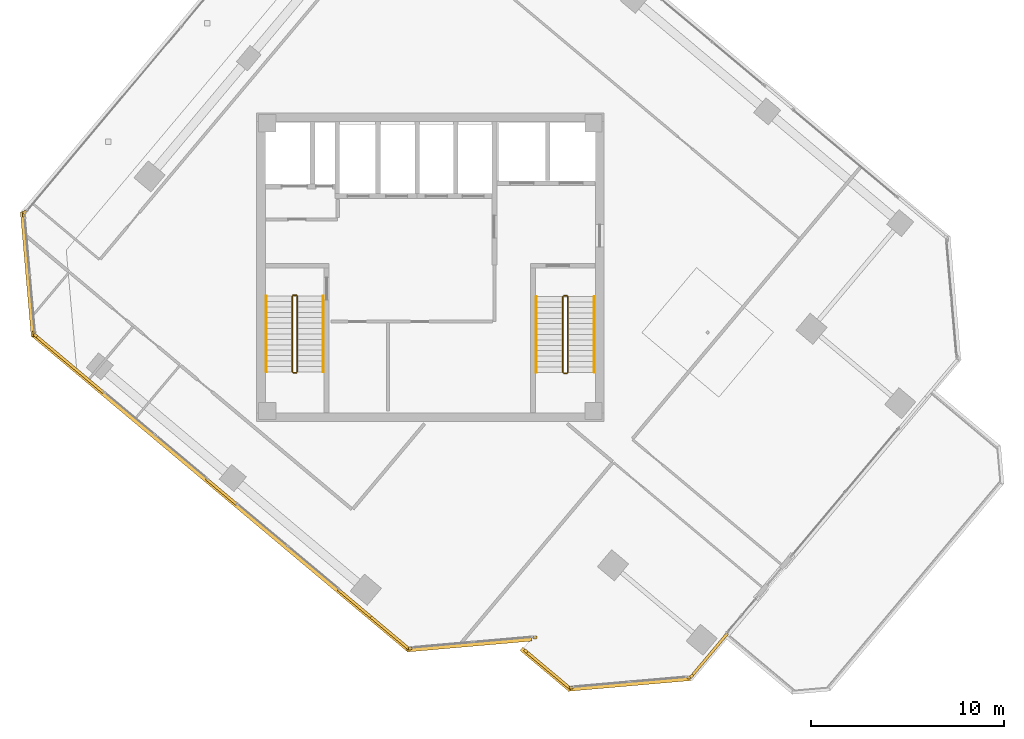
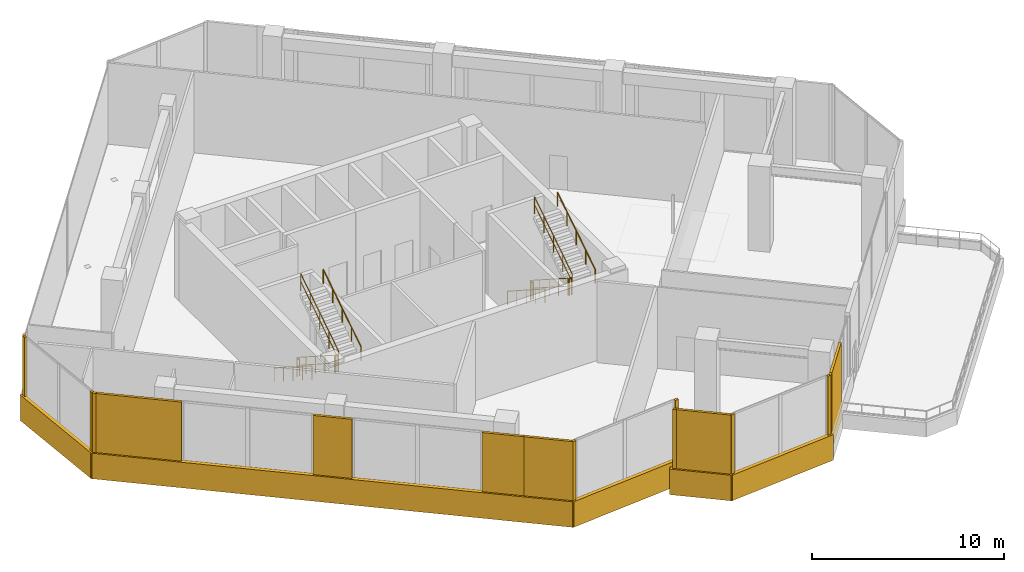
# One storey, part 15 of 17: 21 coverings, 12 railings.
"""IFC4 building model written with IfcOpenShell, lengths in metres."""

from ifc_helpers import new_model, si_unit, direction, frame, origin, origin_2d, place, context, subcontext, project, spatial, rectangle, circle, extrude, source, transform, mapped, material, layer, layer_set, type_object, element, save


model = new_model("IFC4")

# Units and contexts
model_context = context("Model", 3, precision=1e-05, world=origin(), true_north=direction((0.0, 1.0)))
body_context = subcontext(model_context, "Body", "Model", "MODEL_VIEW")
ifc_project = project(units=[si_unit("LENGTHUNIT", "METRE"), si_unit("AREAUNIT", "SQUARE_METRE"), si_unit("VOLUMEUNIT", "CUBIC_METRE"), si_unit("PLANEANGLEUNIT", "RADIAN"), si_unit("MASSUNIT", "GRAM", prefix="KILO")], contexts=[model_context])

# Site, building, storey
site_placement = place(None, origin())
site = spatial("IfcSite", under=ifc_project, at=site_placement, CompositionType="ELEMENT")
building_placement = place(site_placement, origin())
building = spatial("IfcBuilding", under=site, at=building_placement, Name="Torre Montelarca", CompositionType="ELEMENT")
storey_placement = place(building_placement, frame((0.0, 0.0, 215.199951171875)))
storey = spatial("IfcBuildingStorey", under=building, at=storey_placement, Name="L48", CompositionType="ELEMENT", Elevation=215.199951171875)

# Railings
ifc_material_1 = material(Name="Powder-coated steel ASTM A500 Grade C", Category="steel")
railing_type_1 = type_object("IfcRailingType", Name="RL-GUARD-1100", PredefinedType="BALUSTRADE", material=ifc_material_1)
railing_1_placement = place(storey_placement, frame((10.85009765625, 30.5, 0.179931640625)))
element("IfcRailing", 1, at=railing_1_placement, inside=storey, type_object=railing_type_1, Name="L48 ST1 stair guard 1", PredefinedType="BALUSTRADE", context=body_context, shape_type="SweptSolid", body=[
    extrude(circle(Radius=0.02392578125, at=origin_2d()), frame((0.0, 0.0, 1.076171875), z_axis=(0.0, -0.841171666519, 0.540768182723), x_axis=(1.0, 0.0, 0.0)), (0.0, 0.0, 1.0), 4.66015625),
    extrude(circle(Radius=0.02099609375, at=origin_2d()), frame((0.0, 0.0, 0.572021484375), z_axis=(0.0, -0.841171666519, 0.540768182723), x_axis=(1.0, 0.0, 0.0)), (0.0, 0.0, 1.0), 4.66015625),
    extrude(circle(Radius=0.02099609375, at=origin_2d()), origin(), (0.0, 0.0, 1.0), 1.052001953125),
    extrude(circle(Radius=0.02099609375, at=origin_2d()), frame((0.0, -0.97998046875, 0.6298828125)), (0.0, 0.0, 1.0), 1.052001953125),
    extrude(circle(Radius=0.02099609375, at=origin_2d()), frame((0.0, -1.9599609375, 1.260009765625)), (0.0, 0.0, 1.0), 1.052001953125),
    extrude(circle(Radius=0.02099609375, at=origin_2d()), frame((0.0, -2.93994140625, 1.89013671875)), (0.0, 0.0, 1.0), 1.052001953125),
    extrude(circle(Radius=0.02099609375, at=origin_2d()), frame((0.0, -3.919921875, 2.52001953125)), (0.0, 0.0, 1.0), 1.052001953125),
])
railing_2_placement = place(storey_placement, frame((10.89990234375, 26.530029296875, 2.699951171875)))
element("IfcRailing", 2, at=railing_2_placement, inside=storey, type_object=railing_type_1, Name="L48 ST1 stair guard 2", PredefinedType="BALUSTRADE", context=body_context, shape_type="SweptSolid", body=[
    extrude(circle(Radius=0.02392578125, at=origin_2d()), frame((0.0, 0.0, 1.076171875), z_axis=(1.0, 0.0, 0.0), x_axis=(0.0, 1.0, 0.0)), (0.0, 0.0, 1.0), 0.150146484375),
    extrude(circle(Radius=0.02099609375, at=origin_2d()), frame((0.0, 0.0, 0.572021484375), z_axis=(1.0, 0.0, 0.0), x_axis=(0.0, 1.0, 0.0)), (0.0, 0.0, 1.0), 0.150146484375),
    extrude(circle(Radius=0.02099609375, at=origin_2d()), origin(), (0.0, 0.0, 1.0), 1.052001953125),
    extrude(circle(Radius=0.02099609375, at=origin_2d()), frame((0.150146484375, 0.0, 0.0)), (0.0, 0.0, 1.0), 1.052001953125),
])
railing_3_placement = place(storey_placement, frame((11.10009765625, 26.580078125, 2.880126953125)))
element("IfcRailing", 3, at=railing_3_placement, inside=storey, type_object=railing_type_1, Name="L48 ST1 stair guard 3", PredefinedType="BALUSTRADE", context=body_context, shape_type="SweptSolid", body=[
    extrude(circle(Radius=0.02392578125, at=origin_2d()), frame((0.0, 0.0, 1.076171875), z_axis=(0.0, 0.841171666519, 0.540768182723), x_axis=(-1.0, 0.0, 0.0)), (0.0, 0.0, 1.0), 4.66015625),
    extrude(circle(Radius=0.02099609375, at=origin_2d()), frame((0.0, 0.0, 0.572021484375), z_axis=(0.0, 0.841171666519, 0.540768182723), x_axis=(-1.0, 0.0, 0.0)), (0.0, 0.0, 1.0), 4.66015625),
    extrude(circle(Radius=0.02099609375, at=origin_2d()), origin(), (0.0, 0.0, 1.0), 1.052001953125),
    extrude(circle(Radius=0.02099609375, at=origin_2d()), frame((0.0, 0.97998046875, 0.6298828125)), (0.0, 0.0, 1.0), 1.052001953125),
    extrude(circle(Radius=0.02099609375, at=origin_2d()), frame((0.0, 1.9599609375, 1.260009765625)), (0.0, 0.0, 1.0), 1.052001953125),
    extrude(circle(Radius=0.02099609375, at=origin_2d()), frame((0.0, 2.93994140625, 1.89013671875)), (0.0, 0.0, 1.0), 1.052001953125),
    extrude(circle(Radius=0.02099609375, at=origin_2d()), frame((0.0, 3.919921875, 2.52001953125)), (0.0, 0.0, 1.0), 1.052001953125),
])
railing_4_placement = place(storey_placement, frame((10.89990234375, 30.550048828125, 0.0)))
element("IfcRailing", 4, at=railing_4_placement, inside=storey, type_object=railing_type_1, Name="L48 ST1 stair guard 4", PredefinedType="BALUSTRADE", context=body_context, shape_type="SweptSolid", body=[
    extrude(circle(Radius=0.02392578125, at=origin_2d()), frame((0.0, 0.0, 1.076171875), z_axis=(1.0, 0.0, 0.0), x_axis=(0.0, 1.0, 0.0)), (0.0, 0.0, 1.0), 0.150146484375),
    extrude(circle(Radius=0.02099609375, at=origin_2d()), frame((0.0, 0.0, 0.572021484375), z_axis=(1.0, 0.0, 0.0), x_axis=(0.0, 1.0, 0.0)), (0.0, 0.0, 1.0), 0.150146484375),
    extrude(circle(Radius=0.02099609375, at=origin_2d()), origin(), (0.0, 0.0, 1.0), 1.052001953125),
    extrude(circle(Radius=0.02099609375, at=origin_2d()), frame((0.150146484375, 0.0, 0.0)), (0.0, 0.0, 1.0), 1.052001953125),
])
railing_5_placement = place(storey_placement, frame((24.8701171875, 30.469970703125, 0.179931640625)))
element("IfcRailing", 5, at=railing_5_placement, inside=storey, type_object=railing_type_1, Name="L48 ST2 stair guard 1", PredefinedType="BALUSTRADE", context=body_context, shape_type="SweptSolid", body=[
    extrude(circle(Radius=0.02392578125, at=origin_2d()), frame((0.0, 0.0, 1.076171875), z_axis=(0.0, -0.841171666519, 0.540768182723), x_axis=(1.0, 0.0, 0.0)), (0.0, 0.0, 1.0), 4.66015625),
    extrude(circle(Radius=0.02099609375, at=origin_2d()), frame((0.0, 0.0, 0.572021484375), z_axis=(0.0, -0.841171666519, 0.540768182723), x_axis=(1.0, 0.0, 0.0)), (0.0, 0.0, 1.0), 4.66015625),
    extrude(circle(Radius=0.02099609375, at=origin_2d()), origin(), (0.0, 0.0, 1.0), 1.052001953125),
    extrude(circle(Radius=0.02099609375, at=origin_2d()), frame((0.0, -0.97998046875, 0.6298828125)), (0.0, 0.0, 1.0), 1.052001953125),
    extrude(circle(Radius=0.02099609375, at=origin_2d()), frame((0.0, -1.9599609375, 1.260009765625)), (0.0, 0.0, 1.0), 1.052001953125),
    extrude(circle(Radius=0.02099609375, at=origin_2d()), frame((0.0, -2.93994140625, 1.89013671875)), (0.0, 0.0, 1.0), 1.052001953125),
    extrude(circle(Radius=0.02099609375, at=origin_2d()), frame((0.0, -3.919921875, 2.52001953125)), (0.0, 0.0, 1.0), 1.052001953125),
])
railing_6_placement = place(storey_placement, frame((24.919921875, 26.5, 2.699951171875)))
element("IfcRailing", 6, at=railing_6_placement, inside=storey, type_object=railing_type_1, Name="L48 ST2 stair guard 2", PredefinedType="BALUSTRADE", context=body_context, shape_type="SweptSolid", body=[
    extrude(circle(Radius=0.02392578125, at=origin_2d()), frame((0.0, 0.0, 1.076171875), z_axis=(1.0, 0.0, 0.0), x_axis=(0.0, 1.0, 0.0)), (0.0, 0.0, 1.0), 0.150146484375),
    extrude(circle(Radius=0.02099609375, at=origin_2d()), frame((0.0, 0.0, 0.572021484375), z_axis=(1.0, 0.0, 0.0), x_axis=(0.0, 1.0, 0.0)), (0.0, 0.0, 1.0), 0.150146484375),
    extrude(circle(Radius=0.02099609375, at=origin_2d()), origin(), (0.0, 0.0, 1.0), 1.052001953125),
    extrude(circle(Radius=0.02099609375, at=origin_2d()), frame((0.150146484375, 0.0, 0.0)), (0.0, 0.0, 1.0), 1.052001953125),
])
railing_7_placement = place(storey_placement, frame((25.1201171875, 26.550048828125, 2.880126953125)))
element("IfcRailing", 7, at=railing_7_placement, inside=storey, type_object=railing_type_1, Name="L48 ST2 stair guard 3", PredefinedType="BALUSTRADE", context=body_context, shape_type="SweptSolid", body=[
    extrude(circle(Radius=0.02392578125, at=origin_2d()), frame((0.0, 0.0, 1.076171875), z_axis=(0.0, 0.841171666519, 0.540768182723), x_axis=(-1.0, 0.0, 0.0)), (0.0, 0.0, 1.0), 4.66015625),
    extrude(circle(Radius=0.02099609375, at=origin_2d()), frame((0.0, 0.0, 0.572021484375), z_axis=(0.0, 0.841171666519, 0.540768182723), x_axis=(-1.0, 0.0, 0.0)), (0.0, 0.0, 1.0), 4.66015625),
    extrude(circle(Radius=0.02099609375, at=origin_2d()), origin(), (0.0, 0.0, 1.0), 1.052001953125),
    extrude(circle(Radius=0.02099609375, at=origin_2d()), frame((0.0, 0.97998046875, 0.6298828125)), (0.0, 0.0, 1.0), 1.052001953125),
    extrude(circle(Radius=0.02099609375, at=origin_2d()), frame((0.0, 1.9599609375, 1.260009765625)), (0.0, 0.0, 1.0), 1.052001953125),
    extrude(circle(Radius=0.02099609375, at=origin_2d()), frame((0.0, 2.93994140625, 1.89013671875)), (0.0, 0.0, 1.0), 1.052001953125),
    extrude(circle(Radius=0.02099609375, at=origin_2d()), frame((0.0, 3.919921875, 2.52001953125)), (0.0, 0.0, 1.0), 1.052001953125),
])
railing_8_placement = place(storey_placement, frame((24.919921875, 30.52001953125, 0.0)))
element("IfcRailing", 8, at=railing_8_placement, inside=storey, type_object=railing_type_1, Name="L48 ST2 stair guard 4", PredefinedType="BALUSTRADE", context=body_context, shape_type="SweptSolid", body=[
    extrude(circle(Radius=0.02392578125, at=origin_2d()), frame((0.0, 0.0, 1.076171875), z_axis=(1.0, 0.0, 0.0), x_axis=(0.0, 1.0, 0.0)), (0.0, 0.0, 1.0), 0.150146484375),
    extrude(circle(Radius=0.02099609375, at=origin_2d()), frame((0.0, 0.0, 0.572021484375), z_axis=(1.0, 0.0, 0.0), x_axis=(0.0, 1.0, 0.0)), (0.0, 0.0, 1.0), 0.150146484375),
    extrude(circle(Radius=0.02099609375, at=origin_2d()), origin(), (0.0, 0.0, 1.0), 1.052001953125),
    extrude(circle(Radius=0.02099609375, at=origin_2d()), frame((0.150146484375, 0.0, 0.0)), (0.0, 0.0, 1.0), 1.052001953125),
])
ifc_material_2 = material(Name="Brushed stainless steel AISI 316", Category="steel")
railing_type_2 = type_object("IfcRailingType", Name="RL-HANDRAIL-900", PredefinedType="HANDRAIL", material=ifc_material_2)
railing_9_placement = place(storey_placement, frame((9.5, 30.5, 0.179931640625)))
element("IfcRailing", 9, at=railing_9_placement, inside=storey, type_object=railing_type_2, Name="L48 ST1 stair handrail 1", PredefinedType="HANDRAIL", context=body_context, shape_type="SweptSolid", body=[
    extrude(circle(Radius=0.02392578125, at=origin_2d()), frame((0.0, 0.0, 0.8759765625), z_axis=(0.0, -0.841171666519, 0.540768182723), x_axis=(1.0, 0.0, 0.0)), (0.0, 0.0, 1.0), 4.66015625),
    extrude(circle(Radius=0.02099609375, at=origin_2d()), origin(), (0.0, 0.0, 1.0), 0.851806640625),
    extrude(circle(Radius=0.02099609375, at=origin_2d()), frame((0.0, -0.97998046875, 0.6298828125)), (0.0, 0.0, 1.0), 0.851806640625),
    extrude(circle(Radius=0.02099609375, at=origin_2d()), frame((0.0, -1.9599609375, 1.260009765625)), (0.0, 0.0, 1.0), 0.851806640625),
    extrude(circle(Radius=0.02099609375, at=origin_2d()), frame((0.0, -2.93994140625, 1.89013671875)), (0.0, 0.0, 1.0), 0.851806640625),
    extrude(circle(Radius=0.02099609375, at=origin_2d()), frame((0.0, -3.919921875, 2.52001953125)), (0.0, 0.0, 1.0), 0.851806640625),
])
railing_10_placement = place(storey_placement, frame((12.449951171875, 26.580078125, 2.880126953125)))
element("IfcRailing", 10, at=railing_10_placement, inside=storey, type_object=railing_type_2, Name="L48 ST1 stair handrail 2", PredefinedType="HANDRAIL", context=body_context, shape_type="SweptSolid", body=[
    extrude(circle(Radius=0.02392578125, at=origin_2d()), frame((0.0, 0.0, 0.8759765625), z_axis=(0.0, 0.841171666519, 0.540768182723), x_axis=(-1.0, 0.0, 0.0)), (0.0, 0.0, 1.0), 4.66015625),
    extrude(circle(Radius=0.02099609375, at=origin_2d()), origin(), (0.0, 0.0, 1.0), 0.851806640625),
    extrude(circle(Radius=0.02099609375, at=origin_2d()), frame((0.0, 0.97998046875, 0.6298828125)), (0.0, 0.0, 1.0), 0.851806640625),
    extrude(circle(Radius=0.02099609375, at=origin_2d()), frame((0.0, 1.9599609375, 1.260009765625)), (0.0, 0.0, 1.0), 0.851806640625),
    extrude(circle(Radius=0.02099609375, at=origin_2d()), frame((0.0, 2.93994140625, 1.89013671875)), (0.0, 0.0, 1.0), 0.851806640625),
    extrude(circle(Radius=0.02099609375, at=origin_2d()), frame((0.0, 3.919921875, 2.52001953125)), (0.0, 0.0, 1.0), 0.851806640625),
])
railing_11_placement = place(storey_placement, frame((23.489990234375, 30.469970703125, 0.179931640625)))
element("IfcRailing", 11, at=railing_11_placement, inside=storey, type_object=railing_type_2, Name="L48 ST2 stair handrail 1", PredefinedType="HANDRAIL", context=body_context, shape_type="SweptSolid", body=[
    extrude(circle(Radius=0.02392578125, at=origin_2d()), frame((0.0, 0.0, 0.8759765625), z_axis=(0.0, -0.841171666519, 0.540768182723), x_axis=(1.0, 0.0, 0.0)), (0.0, 0.0, 1.0), 4.66015625),
    extrude(circle(Radius=0.02099609375, at=origin_2d()), origin(), (0.0, 0.0, 1.0), 0.851806640625),
    extrude(circle(Radius=0.02099609375, at=origin_2d()), frame((0.0, -0.97998046875, 0.6298828125)), (0.0, 0.0, 1.0), 0.851806640625),
    extrude(circle(Radius=0.02099609375, at=origin_2d()), frame((0.0, -1.9599609375, 1.260009765625)), (0.0, 0.0, 1.0), 0.851806640625),
    extrude(circle(Radius=0.02099609375, at=origin_2d()), frame((0.0, -2.93994140625, 1.89013671875)), (0.0, 0.0, 1.0), 0.851806640625),
    extrude(circle(Radius=0.02099609375, at=origin_2d()), frame((0.0, -3.919921875, 2.52001953125)), (0.0, 0.0, 1.0), 0.851806640625),
])
railing_12_placement = place(storey_placement, frame((26.5, 26.550048828125, 2.880126953125)))
element("IfcRailing", 12, at=railing_12_placement, inside=storey, type_object=railing_type_2, Name="L48 ST2 stair handrail 2", PredefinedType="HANDRAIL", context=body_context, shape_type="SweptSolid", body=[
    extrude(circle(Radius=0.02392578125, at=origin_2d()), frame((0.0, 0.0, 0.8759765625), z_axis=(0.0, 0.841171666519, 0.540768182723), x_axis=(-1.0, 0.0, 0.0)), (0.0, 0.0, 1.0), 4.66015625),
    extrude(circle(Radius=0.02099609375, at=origin_2d()), origin(), (0.0, 0.0, 1.0), 0.851806640625),
    extrude(circle(Radius=0.02099609375, at=origin_2d()), frame((0.0, 0.97998046875, 0.6298828125)), (0.0, 0.0, 1.0), 0.851806640625),
    extrude(circle(Radius=0.02099609375, at=origin_2d()), frame((0.0, 1.9599609375, 1.260009765625)), (0.0, 0.0, 1.0), 0.851806640625),
    extrude(circle(Radius=0.02099609375, at=origin_2d()), frame((0.0, 2.93994140625, 1.89013671875)), (0.0, 0.0, 1.0), 0.851806640625),
    extrude(circle(Radius=0.02099609375, at=origin_2d()), frame((0.0, 3.919921875, 2.52001953125)), (0.0, 0.0, 1.0), 0.851806640625),
])

# Coverings
ifc_material_3 = material(Name="Bush-hammered warm white precast concrete C45/55", Category="concrete")
ifc_layer = layer(ifc_material_3, 0.139892578125, Name="Bush-hammered warm white precast concrete C45/55", Category="concrete")
ifc_layer_set = layer_set([ifc_layer], Name="Bush-hammered warm white precast concrete C45/55")
covering_type = type_object("IfcCoveringType", Name="COV-TRAY-CLAD", PredefinedType="CLADDING", material=ifc_layer_set)
shared_shape_1 = source(origin(), body_context, "Body", "SweptSolid", [
    extrude(rectangle(XDim=6.48388671875, YDim=0.219970703125, at=origin_2d()), origin(), (0.0, 0.0, 1.0), 1.6201171875),
])
for number, where, z_axis, x_axis, name in (
    (13, (20.01611328125, 12.451416015625, -0.449951171875), (0.0, 0.0, 1.0), (0.996194089606, 0.087162697497, 0.0), "L48 Architectural White Spandrel Tray Band TRYBOT-02"),
    (14, (28.357421875, 10.4130859375, -0.449951171875), (0.0, 0.0, 1.0), (0.996194089606, 0.087162697497, 0.0), "L48 Architectural White Spandrel Tray Band TRYBOT-05"),
    (15, (-2.856201171875, 31.643798828125, -0.449951171875), (0.0, 0.0, 1.0), (0.087147049306, -0.996195458631, 0.0), "L48 Architectural White Spandrel Tray Band TRYBOT-11"),
):
    element("IfcCovering", number, at=place(storey_placement, frame(where, z_axis=z_axis, x_axis=x_axis)), inside=storey, type_object=covering_type, Name=name, PredefinedType="CLADDING", context=body_context, shape_type="MappedRepresentation", body=[
        mapped(shared_shape_1, transform((0.0, 0.0, 0.0), scale=1.0)),
    ])
shared_shape_2 = source(origin(), body_context, "Body", "SweptSolid", [
    extrude(rectangle(XDim=25.52001953125, YDim=0.219970703125, at=origin_2d()), origin(), (0.0, 0.0, 1.0), 1.6201171875),
])
covering_1_placement = place(storey_placement, frame((7.139404296875, 20.330810546875, -0.449951171875), z_axis=(0.0, 0.0, 1.0), x_axis=(0.766043321242, -0.642788946685, 0.0)))
element("IfcCovering", 16, at=covering_1_placement, inside=storey, type_object=covering_type, Name="L48 Architectural White Spandrel Tray Band TRYBOT-01", PredefinedType="CLADDING", context=body_context, shape_type="MappedRepresentation", body=[
    mapped(shared_shape_2, transform((0.0, 0.0, 0.0), scale=1.0)),
])
shared_shape_3 = source(origin(), body_context, "Body", "SweptSolid", [
    extrude(rectangle(XDim=0.199951171875, YDim=0.139892578125, at=origin_2d()), origin(), (0.0, 0.0, 1.0), 4.919921875),
])
for number, where, z_axis, x_axis, name in (
    (17, (-2.462158203125, 28.4658203125, 0.0), (0.0, 0.0, 1.0), (0.766042199362, -0.642790283682, 0.0), "L48 Architectural Column Pier Cladding E01-1"),
    (18, (16.95654296875, 12.243896484375, 0.0), (0.0, 0.0, 1.0), (0.996192263856, 0.087183561718, 0.0), "L48 Architectural Column Pier Cladding E02-1"),
    (19, (23.431640625, 12.810791015625, 0.0), (0.0, 0.0, 1.0), (0.996192263856, 0.087183561718, 0.0), "L48 Architectural Column Pier Cladding E02-2"),
    (20, (22.943603515625, 12.1083984375, 0.0), (0.0, 0.0, 1.0), (0.766027614716, -0.642807664463, 0.0), "L48 Architectural Column Pier Cladding E04-1"),
    (21, (25.297607421875, 10.20556640625, 0.0), (0.0, 0.0, 1.0), (0.996192872488, 0.087176606982, 0.0), "L48 Architectural Column Pier Cladding E05-1"),
    (22, (31.406494140625, 10.739990234375, 0.0), (0.0, 0.0, 1.0), (0.996192872488, 0.087176606982, 0.0), "L48 Architectural Column Pier Cladding E05-2"),
    (23, (31.535400390625, 10.80712890625, 0.0), (0.0, 0.0, 1.0), (0.642787609687, 0.766044443119, 0.0), "L48 Architectural Column Pier Cladding E06-1"),
    (24, (-3.02001953125, 34.841796875, 0.0), (0.0, 0.0, 1.0), (-0.642788946685, -0.766043321242, 0.0), "L48 Architectural Column Pier Cladding E10-2"),
    (25, (-3.063720703125, 34.703369140625, 0.0), (0.0, 0.0, 1.0), (0.08716095881, -0.996194241732, 0.0), "L48 Architectural Column Pier Cladding E11-1"),
    (26, (-2.529052734375, 28.594482421875, 0.0), (0.0, 0.0, 1.0), (0.08716095881, -0.996194241732, 0.0), "L48 Architectural Column Pier Cladding E11-2"),
):
    element("IfcCovering", number, at=place(storey_placement, frame(where, z_axis=z_axis, x_axis=x_axis)), inside=storey, type_object=covering_type, Name=name, PredefinedType="CLADDING", context=body_context, shape_type="MappedRepresentation", body=[
        mapped(shared_shape_3, transform((0.0, 0.0, 0.0), scale=1.0)),
    ])
shared_shape_4 = source(origin(), body_context, "Body", "SweptSolid", [
    extrude(rectangle(XDim=2.2099609375, YDim=0.139892578125, at=origin_2d()), origin(), (0.0, 0.0, 1.0), 4.919921875),
])
covering_2_placement = place(storey_placement, frame((14.072265625, 14.591552734375, 0.0), z_axis=(0.0, 0.0, 1.0), x_axis=(0.766042199362, -0.642790283682, 0.0)))
element("IfcCovering", 27, at=covering_2_placement, inside=storey, type_object=covering_type, Name="L48 Architectural Column Pier Cladding E01-4", PredefinedType="CLADDING", context=body_context, shape_type="MappedRepresentation", body=[
    mapped(shared_shape_4, transform((0.0, 0.0, 0.0), scale=1.0)),
])
shared_shape_5 = source(origin(), body_context, "Body", "SweptSolid", [
    extrude(rectangle(XDim=2.67919921875, YDim=0.139892578125, at=origin_2d()), origin(), (0.0, 0.0, 1.0), 4.919921875),
])
covering_3_placement = place(storey_placement, frame((15.868408203125, 13.08447265625, 0.0), z_axis=(0.0, 0.0, 1.0), x_axis=(0.766042199362, -0.642790283682, 0.0)))
element("IfcCovering", 28, at=covering_3_placement, inside=storey, type_object=covering_type, Name="L48 Architectural Column Pier Cladding E01-5", PredefinedType="CLADDING", context=body_context, shape_type="MappedRepresentation", body=[
    mapped(shared_shape_5, transform((0.0, 0.0, 0.0), scale=1.0)),
])
shared_shape_6 = source(origin(), body_context, "Body", "SweptSolid", [
    extrude(rectangle(XDim=2.06005859375, YDim=0.139892578125, at=origin_2d()), origin(), (0.0, 0.0, 1.0), 4.919921875),
])
covering_4_placement = place(storey_placement, frame((7.177978515625, 20.376708984375, 0.0), z_axis=(0.0, 0.0, 1.0), x_axis=(0.766042199362, -0.642790283682, 0.0)))
element("IfcCovering", 29, at=covering_4_placement, inside=storey, type_object=covering_type, Name="L48 Architectural Column Pier Cladding E01-3", PredefinedType="CLADDING", context=body_context, shape_type="MappedRepresentation", body=[
    mapped(shared_shape_6, transform((0.0, 0.0, 0.0), scale=1.0)),
])
shared_shape_7 = source(origin(), body_context, "Body", "SweptSolid", [
    extrude(rectangle(XDim=4.6142578125, YDim=0.139892578125, at=origin_2d()), origin(), (0.0, 0.0, 1.0), 4.919921875),
])
covering_5_placement = place(storey_placement, frame((-0.69482421875, 26.982666015625, 0.0), z_axis=(0.0, 0.0, 1.0), x_axis=(0.766042199362, -0.642790283682, 0.0)))
element("IfcCovering", 30, at=covering_5_placement, inside=storey, type_object=covering_type, Name="L48 Architectural Column Pier Cladding E01-2", PredefinedType="CLADDING", context=body_context, shape_type="MappedRepresentation", body=[
    mapped(shared_shape_7, transform((0.0, 0.0, 0.0), scale=1.0)),
])
shared_shape_8 = source(origin(), body_context, "Body", "SweptSolid", [
    extrude(rectangle(XDim=2.9921875, YDim=0.139892578125, at=origin_2d()), origin(), (0.0, 0.0, 1.0), 4.919921875),
])
covering_6_placement = place(storey_placement, frame((24.089599609375, 11.146484375, 0.0), z_axis=(0.0, 0.0, 1.0), x_axis=(0.766027614716, -0.642807664463, 0.0)))
element("IfcCovering", 31, at=covering_6_placement, inside=storey, type_object=covering_type, Name="L48 Architectural Column Pier Cladding E04-2", PredefinedType="CLADDING", context=body_context, shape_type="MappedRepresentation", body=[
    mapped(shared_shape_8, transform((0.0, 0.0, 0.0), scale=1.0)),
])
shared_shape_9 = source(origin(), body_context, "Body", "SweptSolid", [
    extrude(rectangle(XDim=2.88916015625, YDim=0.139892578125, at=origin_2d()), origin(), (0.0, 0.0, 1.0), 4.919921875),
])
covering_7_placement = place(storey_placement, frame((32.4638671875, 11.913818359375, 0.0), z_axis=(0.0, 0.0, 1.0), x_axis=(0.642787609687, 0.766044443119, 0.0)))
element("IfcCovering", 32, at=covering_7_placement, inside=storey, type_object=covering_type, Name="L48 Architectural Column Pier Cladding E06-2", PredefinedType="CLADDING", context=body_context, shape_type="MappedRepresentation", body=[
    mapped(shared_shape_9, transform((0.0, 0.0, 0.0), scale=1.0)),
])
shared_shape_10 = source(origin(), body_context, "Body", "SweptSolid", [
    extrude(rectangle(XDim=3.320068359375, YDim=0.219970703125, at=origin_2d()), origin(), (0.0, 0.0, 1.0), 1.6201171875),
])
covering_8_placement = place(storey_placement, frame((23.983642578125, 11.1572265625, -0.449951171875), z_axis=(0.0, 0.0, 1.0), x_axis=(0.766026492804, -0.642809001432, 0.0)))
element("IfcCovering", 33, at=covering_8_placement, inside=storey, type_object=covering_type, Name="L48 Architectural White Spandrel Tray Band TRYBOT-04", PredefinedType="CLADDING", context=body_context, shape_type="MappedRepresentation", body=[
    mapped(shared_shape_10, transform((0.0, 0.0, 0.0), scale=1.0)),
])

save(model, "model.ifc")
